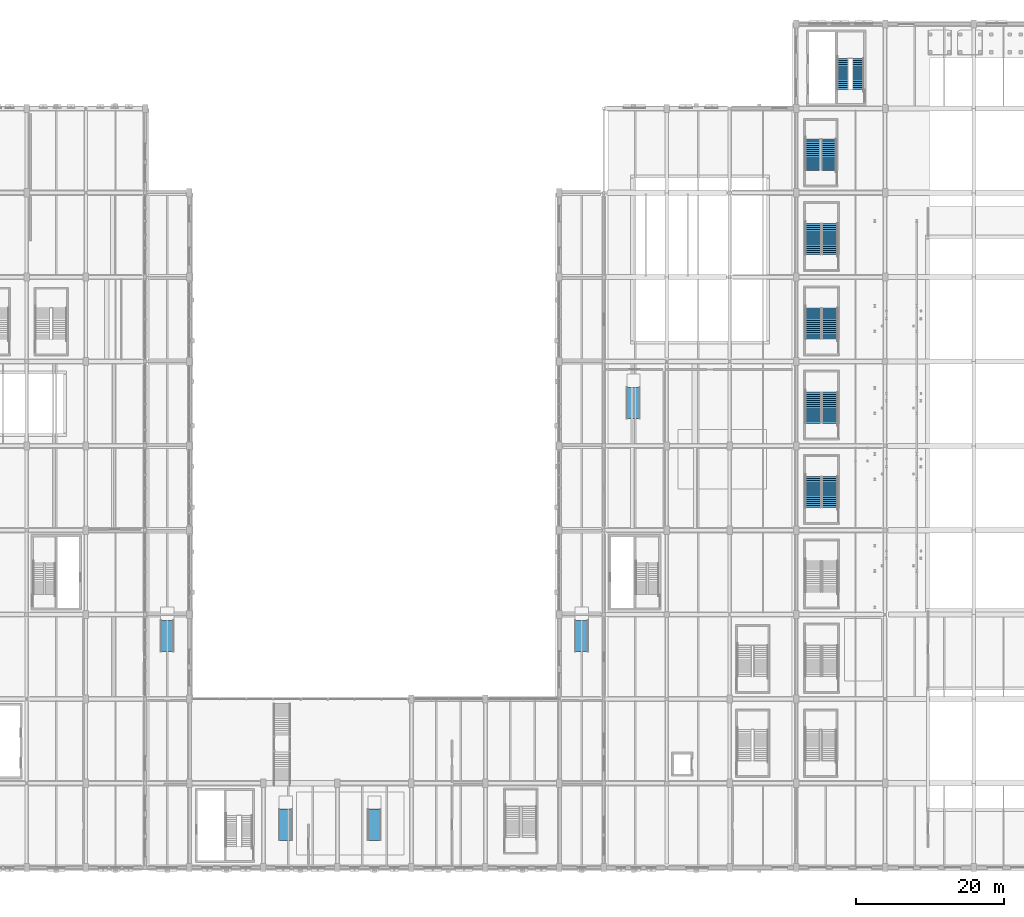
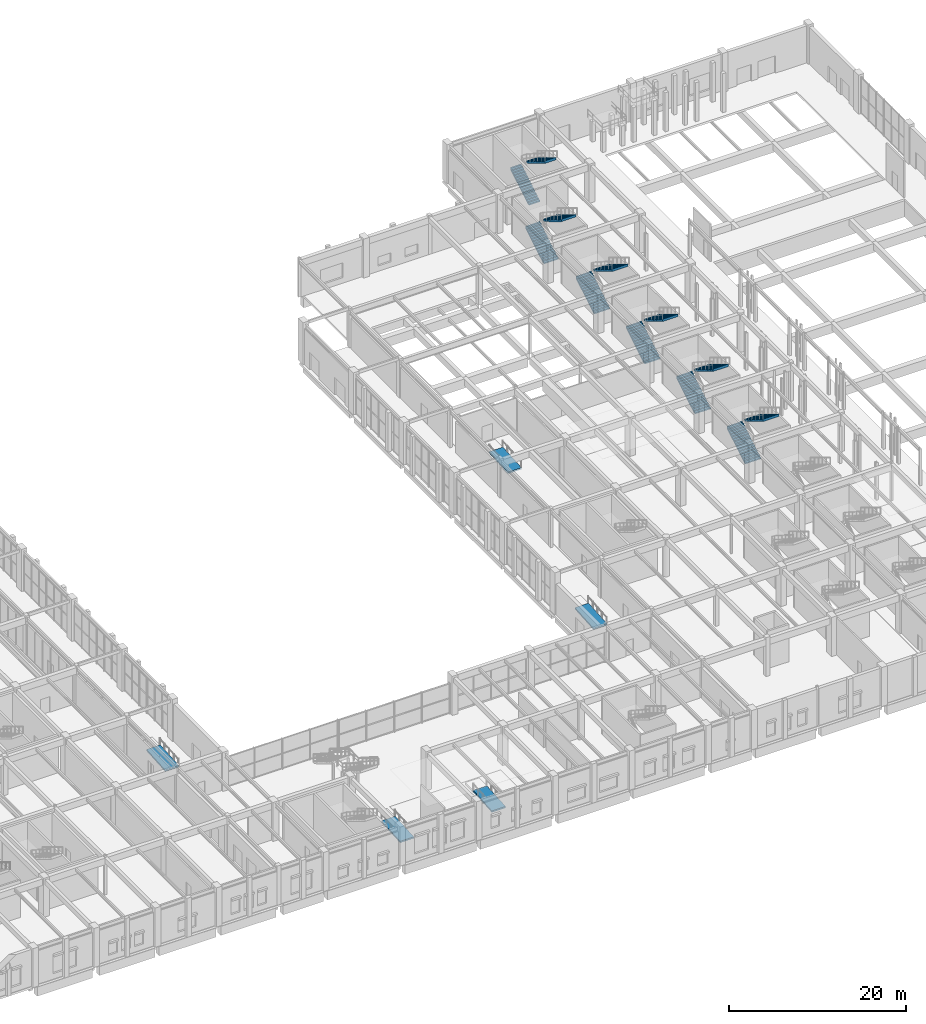
# One storey, part 96 of 113: 12 stair flights, 5 ramp flights, 11 elements without a shape of their own.
"""IFC4 building model written with IfcOpenShell, lengths in metres."""

from ifc_helpers import new_model, si_unit, direction, frame, origin, place, context, subcontext, project, spatial, polyline, outline, extrude, material, layer, layer_set, type_object, element, aggregate, save


model = new_model("IFC4")

# Units and contexts
model_context = context("Model", 3, precision=1e-05, world=origin(), true_north=direction((0.0, 1.0)))
body_context = subcontext(model_context, "Body", "Model", "MODEL_VIEW")
ifc_project = project(units=[si_unit("LENGTHUNIT", "METRE"), si_unit("AREAUNIT", "SQUARE_METRE"), si_unit("VOLUMEUNIT", "CUBIC_METRE"), si_unit("PLANEANGLEUNIT", "RADIAN"), si_unit("MASSUNIT", "GRAM", prefix="KILO"), si_unit("POWERUNIT", "WATT"), si_unit("THERMODYNAMICTEMPERATUREUNIT", "KELVIN")], contexts=[model_context])

# Site, building, storey
site_placement = place(None, origin())
site = spatial("IfcSite", under=ifc_project, at=site_placement, CompositionType="ELEMENT")
building_placement = place(site_placement, origin())
building = spatial("IfcBuilding", under=site, at=building_placement, Name="Kelmbourne Parkland Aquatics Centre", CompositionType="ELEMENT")
storey_placement = place(building_placement, origin())
storey = spatial("IfcBuildingStorey", under=building, at=storey_placement, Name="L00", CompositionType="ELEMENT", Elevation=0.0)

# Stair, stair flights
ifc_material = material(Name="Concrete C40/50", Category="concrete")
stair_type_1 = type_object("IfcStairType", Name="ST-T16", PredefinedType="HALF_TURN_STAIR", material=ifc_material)
stair_1_placement = place(storey_placement, origin())
stair_1 = element("IfcStair", 1, at=stair_1_placement, inside=storey, type_object=stair_type_1, Name="North Diving Control Fire-Fighting Core Stair ST05 (L00)", PredefinedType="HALF_TURN_STAIR")
stair_flight_type_1 = type_object("IfcStairFlightType", Name="STF-T16", PredefinedType="STRAIGHT", material=ifc_material)
stair_flight_1_placement = place(storey_placement, frame((134.27001953125, 105.949951171875, 0.0), z_axis=(0.0, 0.0, 1.0), x_axis=(0.0, 1.0, 0.0)))
stair_flight_1 = element("IfcStairFlight", 2, at=stair_flight_1_placement, type_object=stair_flight_type_1, Name="North Diving Control Fire-Fighting Core Stair ST05 lower flight (L00)", NumberOfRisers=16, NumberOfTreads=15, PredefinedType="STRAIGHT", RiserHeight=0.16875, TreadLength=0.28, context=body_context, shape_type="SweptSolid", body=[
    extrude(outline(polyline([(-0.008056640625, 0.0), (-0.008056640625, 0.034912109375), (0.0, 0.034912109375), (0.0, 0.168701171875), (0.280029296875, 0.168701171875), (0.280029296875, 0.33740234375), (0.56005859375, 0.33740234375), (0.56005859375, 0.50634765625), (0.840087890625, 0.50634765625), (0.840087890625, 0.675048828125), (1.1201171875, 0.675048828125), (1.1201171875, 0.84375), (1.39990234375, 0.84375), (1.39990234375, 1.012451171875), (1.679931640625, 1.012451171875), (1.679931640625, 1.18115234375), (1.9599609375, 1.18115234375), (1.9599609375, 1.35009765625), (2.239990234375, 1.35009765625), (2.239990234375, 1.518798828125), (2.52001953125, 1.518798828125), (2.52001953125, 1.6875), (2.800048828125, 1.6875), (2.800048828125, 1.856201171875), (3.080078125, 1.856201171875), (3.080078125, 2.02490234375), (3.360107421875, 2.02490234375), (3.360107421875, 2.19384765625), (3.639892578125, 2.19384765625), (3.639892578125, 2.362548828125), (3.919921875, 2.362548828125), (3.919921875, 2.53125), (4.199951171875, 2.53125), (4.199951171875, 2.699951171875), (4.2080078125, 2.699951171875), (4.2080078125, 2.56005859375), (4.199951171875, 2.344482421875), (0.309814453125, 0.0), (-0.008056640625, 0.0)])), frame((0.0, 0.72509765625, 0.0), z_axis=(0.0, -1.0, 0.0), x_axis=(1.0, 0.0, 0.0)), (0.0, 0.0, 1.0), 1.449951171875),
])
stair_flight_2_placement = place(storey_placement, frame((136.35498046875, 110.14990234375, 2.699951171875), z_axis=(0.0, 0.0, 1.0), x_axis=(0.0, -1.0, 0.0)))
stair_flight_2 = element("IfcStairFlight", 3, at=stair_flight_2_placement, type_object=stair_flight_type_1, Name="North Diving Control Fire-Fighting Core Stair ST05 upper flight (L00)", NumberOfRisers=16, NumberOfTreads=15, PredefinedType="STRAIGHT", RiserHeight=0.16875, TreadLength=0.28, context=body_context, shape_type="SweptSolid", body=[
    extrude(outline(polyline([(-0.008056640625, 0.0), (-0.008056640625, 0.034912109375), (0.0, 0.034912109375), (0.0, 0.168701171875), (0.280029296875, 0.168701171875), (0.280029296875, 0.33740234375), (0.56005859375, 0.33740234375), (0.56005859375, 0.50634765625), (0.840087890625, 0.50634765625), (0.840087890625, 0.675048828125), (1.1201171875, 0.675048828125), (1.1201171875, 0.84375), (1.39990234375, 0.84375), (1.39990234375, 1.012451171875), (1.679931640625, 1.012451171875), (1.679931640625, 1.18115234375), (1.9599609375, 1.18115234375), (1.9599609375, 1.35009765625), (2.239990234375, 1.35009765625), (2.239990234375, 1.518798828125), (2.52001953125, 1.518798828125), (2.52001953125, 1.6875), (2.800048828125, 1.6875), (2.800048828125, 1.856201171875), (3.080078125, 1.856201171875), (3.080078125, 2.02490234375), (3.360107421875, 2.02490234375), (3.360107421875, 2.19384765625), (3.639892578125, 2.19384765625), (3.639892578125, 2.362548828125), (3.919921875, 2.362548828125), (3.919921875, 2.53125), (4.199951171875, 2.53125), (4.199951171875, 2.699951171875), (4.2080078125, 2.699951171875), (4.2080078125, 2.56005859375), (4.199951171875, 2.344482421875), (0.309814453125, 0.0), (-0.008056640625, 0.0)])), frame((0.0, 0.72509765625, 0.0), z_axis=(0.0, -1.0, 0.0), x_axis=(1.0, 0.0, 0.0)), (0.0, 0.0, 1.0), 1.449951171875),
])
aggregate(stair_1, [stair_flight_1, stair_flight_2])

stair_type_2 = type_object("IfcStairType", Name="ST-T34", PredefinedType="HALF_TURN_STAIR", material=ifc_material)
stair_2_placement = place(storey_placement, origin())
stair_2 = element("IfcStair", 4, at=stair_2_placement, inside=storey, type_object=stair_type_2, Name="Main Bowl North Concourse Exit Stair (L00)", PredefinedType="HALF_TURN_STAIR")
stair_flight_type_2 = type_object("IfcStairFlightType", Name="STF-T34", PredefinedType="STRAIGHT", material=ifc_material)
stair_flight_3_placement = place(storey_placement, frame((130.169921875, 95.050048828125, 0.0), z_axis=(0.0, 0.0, 1.0), x_axis=(0.0, 1.0, 0.0)))
stair_flight_3 = element("IfcStairFlight", 5, at=stair_flight_3_placement, type_object=stair_flight_type_2, Name="Main Bowl North Concourse Exit Stair lower flight (L00)", NumberOfRisers=16, NumberOfTreads=15, PredefinedType="STRAIGHT", RiserHeight=0.16875, TreadLength=0.28, context=body_context, shape_type="SweptSolid", body=[
    extrude(outline(polyline([(-0.008056640625, 0.0), (-0.008056640625, 0.034912109375), (0.0, 0.034912109375), (0.0, 0.168701171875), (0.280029296875, 0.168701171875), (0.280029296875, 0.33740234375), (0.56005859375, 0.33740234375), (0.56005859375, 0.50634765625), (0.840087890625, 0.50634765625), (0.840087890625, 0.675048828125), (1.1201171875, 0.675048828125), (1.1201171875, 0.84375), (1.39990234375, 0.84375), (1.39990234375, 1.012451171875), (1.679931640625, 1.012451171875), (1.679931640625, 1.18115234375), (1.9599609375, 1.18115234375), (1.9599609375, 1.35009765625), (2.239990234375, 1.35009765625), (2.239990234375, 1.518798828125), (2.52001953125, 1.518798828125), (2.52001953125, 1.6875), (2.800048828125, 1.6875), (2.800048828125, 1.856201171875), (3.080078125, 1.856201171875), (3.080078125, 2.02490234375), (3.360107421875, 2.02490234375), (3.360107421875, 2.19384765625), (3.639892578125, 2.19384765625), (3.639892578125, 2.362548828125), (3.919921875, 2.362548828125), (3.919921875, 2.53125), (4.199951171875, 2.53125), (4.199951171875, 2.699951171875), (4.2080078125, 2.699951171875), (4.2080078125, 2.56005859375), (4.199951171875, 2.344482421875), (0.309814453125, 0.0), (-0.008056640625, 0.0)])), frame((0.0, 0.949951171875, 0.0), z_axis=(0.0, -1.0, 0.0), x_axis=(1.0, 0.0, 0.0)), (0.0, 0.0, 1.0), 1.89990234375),
])
stair_flight_4_placement = place(storey_placement, frame((132.429931640625, 99.25, 2.699951171875), z_axis=(0.0, 0.0, 1.0), x_axis=(0.0, -1.0, 0.0)))
stair_flight_4 = element("IfcStairFlight", 6, at=stair_flight_4_placement, type_object=stair_flight_type_2, Name="Main Bowl North Concourse Exit Stair upper flight (L00)", NumberOfRisers=16, NumberOfTreads=15, PredefinedType="STRAIGHT", RiserHeight=0.16875, TreadLength=0.28, context=body_context, shape_type="SweptSolid", body=[
    extrude(outline(polyline([(-0.008056640625, 0.0), (-0.008056640625, 0.034912109375), (0.0, 0.034912109375), (0.0, 0.168701171875), (0.280029296875, 0.168701171875), (0.280029296875, 0.33740234375), (0.56005859375, 0.33740234375), (0.56005859375, 0.50634765625), (0.840087890625, 0.50634765625), (0.840087890625, 0.675048828125), (1.1201171875, 0.675048828125), (1.1201171875, 0.84375), (1.39990234375, 0.84375), (1.39990234375, 1.012451171875), (1.679931640625, 1.012451171875), (1.679931640625, 1.18115234375), (1.9599609375, 1.18115234375), (1.9599609375, 1.35009765625), (2.239990234375, 1.35009765625), (2.239990234375, 1.518798828125), (2.52001953125, 1.518798828125), (2.52001953125, 1.6875), (2.800048828125, 1.6875), (2.800048828125, 1.856201171875), (3.080078125, 1.856201171875), (3.080078125, 2.02490234375), (3.360107421875, 2.02490234375), (3.360107421875, 2.19384765625), (3.639892578125, 2.19384765625), (3.639892578125, 2.362548828125), (3.919921875, 2.362548828125), (3.919921875, 2.53125), (4.199951171875, 2.53125), (4.199951171875, 2.699951171875), (4.2080078125, 2.699951171875), (4.2080078125, 2.56005859375), (4.199951171875, 2.344482421875), (0.309814453125, 0.0), (-0.008056640625, 0.0)])), frame((0.0, 0.949951171875, 0.0), z_axis=(0.0, -1.0, 0.0), x_axis=(1.0, 0.0, 0.0)), (0.0, 0.0, 1.0), 1.89990234375),
])
aggregate(stair_2, [stair_flight_3, stair_flight_4])

stair_type_3 = type_object("IfcStairType", Name="ST-T43", PredefinedType="HALF_TURN_STAIR", material=ifc_material)
stair_3_placement = place(storey_placement, origin())
stair_3 = element("IfcStair", 7, at=stair_3_placement, inside=storey, type_object=stair_type_3, Name="Spectator Bowl Exit Stair Bay 5 (L00)", PredefinedType="HALF_TURN_STAIR")
stair_flight_type_3 = type_object("IfcStairFlightType", Name="STF-T43", PredefinedType="STRAIGHT", material=ifc_material)
stair_flight_5_placement = place(storey_placement, frame((130.2451171875, 49.449951171875, 0.0), z_axis=(0.0, 0.0, 1.0), x_axis=(0.0, 1.0, 0.0)))
stair_flight_5 = element("IfcStairFlight", 8, at=stair_flight_5_placement, type_object=stair_flight_type_3, Name="Spectator Bowl Exit Stair Bay 5 lower flight (L00)", NumberOfRisers=16, NumberOfTreads=15, PredefinedType="STRAIGHT", RiserHeight=0.16875, TreadLength=0.28, context=body_context, shape_type="SweptSolid", body=[
    extrude(outline(polyline([(-0.008056640625, 0.0), (-0.008056640625, 0.034912109375), (0.0, 0.034912109375), (0.0, 0.168701171875), (0.280029296875, 0.168701171875), (0.280029296875, 0.33740234375), (0.56005859375, 0.33740234375), (0.56005859375, 0.50634765625), (0.840087890625, 0.50634765625), (0.840087890625, 0.675048828125), (1.1201171875, 0.675048828125), (1.1201171875, 0.84375), (1.39990234375, 0.84375), (1.39990234375, 1.012451171875), (1.679931640625, 1.012451171875), (1.679931640625, 1.18115234375), (1.9599609375, 1.18115234375), (1.9599609375, 1.35009765625), (2.239990234375, 1.35009765625), (2.239990234375, 1.518798828125), (2.52001953125, 1.518798828125), (2.52001953125, 1.6875), (2.800048828125, 1.6875), (2.800048828125, 1.856201171875), (3.080078125, 1.856201171875), (3.080078125, 2.02490234375), (3.360107421875, 2.02490234375), (3.360107421875, 2.19384765625), (3.639892578125, 2.19384765625), (3.639892578125, 2.362548828125), (3.919921875, 2.362548828125), (3.919921875, 2.53125), (4.199951171875, 2.53125), (4.199951171875, 2.699951171875), (4.2080078125, 2.699951171875), (4.2080078125, 2.56005859375), (4.199951171875, 2.344482421875), (0.309814453125, 0.0), (-0.008056640625, 0.0)])), frame((0.0, 1.02490234375, 0.0), z_axis=(0.0, -1.0, 0.0), x_axis=(1.0, 0.0, 0.0)), (0.0, 0.0, 1.0), 2.050048828125),
])
stair_flight_6_placement = place(storey_placement, frame((132.554931640625, 53.64990234375, 2.699951171875), z_axis=(0.0, 0.0, 1.0), x_axis=(0.0, -1.0, 0.0)))
stair_flight_6 = element("IfcStairFlight", 9, at=stair_flight_6_placement, type_object=stair_flight_type_3, Name="Spectator Bowl Exit Stair Bay 5 upper flight (L00)", NumberOfRisers=16, NumberOfTreads=15, PredefinedType="STRAIGHT", RiserHeight=0.16875, TreadLength=0.28, context=body_context, shape_type="SweptSolid", body=[
    extrude(outline(polyline([(-0.008056640625, 0.0), (-0.008056640625, 0.034912109375), (0.0, 0.034912109375), (0.0, 0.168701171875), (0.280029296875, 0.168701171875), (0.280029296875, 0.33740234375), (0.56005859375, 0.33740234375), (0.56005859375, 0.50634765625), (0.840087890625, 0.50634765625), (0.840087890625, 0.675048828125), (1.1201171875, 0.675048828125), (1.1201171875, 0.84375), (1.39990234375, 0.84375), (1.39990234375, 1.012451171875), (1.679931640625, 1.012451171875), (1.679931640625, 1.18115234375), (1.9599609375, 1.18115234375), (1.9599609375, 1.35009765625), (2.239990234375, 1.35009765625), (2.239990234375, 1.518798828125), (2.52001953125, 1.518798828125), (2.52001953125, 1.6875), (2.800048828125, 1.6875), (2.800048828125, 1.856201171875), (3.080078125, 1.856201171875), (3.080078125, 2.02490234375), (3.360107421875, 2.02490234375), (3.360107421875, 2.19384765625), (3.639892578125, 2.19384765625), (3.639892578125, 2.362548828125), (3.919921875, 2.362548828125), (3.919921875, 2.53125), (4.199951171875, 2.53125), (4.199951171875, 2.699951171875), (4.2080078125, 2.699951171875), (4.2080078125, 2.56005859375), (4.199951171875, 2.344482421875), (0.309814453125, 0.0), (-0.008056640625, 0.0)])), frame((0.0, 1.02490234375, 0.0), z_axis=(0.0, -1.0, 0.0), x_axis=(1.0, 0.0, 0.0)), (0.0, 0.0, 1.0), 2.050048828125),
])
aggregate(stair_3, [stair_flight_5, stair_flight_6])

stair_type_4 = type_object("IfcStairType", Name="ST-T44", PredefinedType="HALF_TURN_STAIR", material=ifc_material)
stair_4_placement = place(storey_placement, origin())
stair_4 = element("IfcStair", 10, at=stair_4_placement, inside=storey, type_object=stair_type_4, Name="Spectator Bowl Exit Stair Bay 6 (L00)", PredefinedType="HALF_TURN_STAIR")
stair_flight_type_4 = type_object("IfcStairFlightType", Name="STF-T44", PredefinedType="STRAIGHT", material=ifc_material)
stair_flight_7_placement = place(storey_placement, frame((130.2451171875, 60.85009765625, 0.0), z_axis=(0.0, 0.0, 1.0), x_axis=(0.0, 1.0, 0.0)))
stair_flight_7 = element("IfcStairFlight", 11, at=stair_flight_7_placement, type_object=stair_flight_type_4, Name="Spectator Bowl Exit Stair Bay 6 lower flight (L00)", NumberOfRisers=16, NumberOfTreads=15, PredefinedType="STRAIGHT", RiserHeight=0.16875, TreadLength=0.28, context=body_context, shape_type="SweptSolid", body=[
    extrude(outline(polyline([(-0.008056640625, 0.0), (-0.008056640625, 0.034912109375), (0.0, 0.034912109375), (0.0, 0.168701171875), (0.280029296875, 0.168701171875), (0.280029296875, 0.33740234375), (0.56005859375, 0.33740234375), (0.56005859375, 0.50634765625), (0.840087890625, 0.50634765625), (0.840087890625, 0.675048828125), (1.1201171875, 0.675048828125), (1.1201171875, 0.84375), (1.39990234375, 0.84375), (1.39990234375, 1.012451171875), (1.679931640625, 1.012451171875), (1.679931640625, 1.18115234375), (1.9599609375, 1.18115234375), (1.9599609375, 1.35009765625), (2.239990234375, 1.35009765625), (2.239990234375, 1.518798828125), (2.52001953125, 1.518798828125), (2.52001953125, 1.6875), (2.800048828125, 1.6875), (2.800048828125, 1.856201171875), (3.080078125, 1.856201171875), (3.080078125, 2.02490234375), (3.360107421875, 2.02490234375), (3.360107421875, 2.19384765625), (3.639892578125, 2.19384765625), (3.639892578125, 2.362548828125), (3.919921875, 2.362548828125), (3.919921875, 2.53125), (4.199951171875, 2.53125), (4.199951171875, 2.699951171875), (4.2080078125, 2.699951171875), (4.2080078125, 2.56005859375), (4.199951171875, 2.344482421875), (0.309814453125, 0.0), (-0.008056640625, 0.0)])), frame((0.0, 1.02490234375, 0.0), z_axis=(0.0, -1.0, 0.0), x_axis=(1.0, 0.0, 0.0)), (0.0, 0.0, 1.0), 2.050048828125),
])
stair_flight_8_placement = place(storey_placement, frame((132.554931640625, 65.050048828125, 2.699951171875), z_axis=(0.0, 0.0, 1.0), x_axis=(0.0, -1.0, 0.0)))
stair_flight_8 = element("IfcStairFlight", 12, at=stair_flight_8_placement, type_object=stair_flight_type_4, Name="Spectator Bowl Exit Stair Bay 6 upper flight (L00)", NumberOfRisers=16, NumberOfTreads=15, PredefinedType="STRAIGHT", RiserHeight=0.16875, TreadLength=0.28, context=body_context, shape_type="SweptSolid", body=[
    extrude(outline(polyline([(-0.008056640625, 0.0), (-0.008056640625, 0.034912109375), (0.0, 0.034912109375), (0.0, 0.168701171875), (0.280029296875, 0.168701171875), (0.280029296875, 0.33740234375), (0.56005859375, 0.33740234375), (0.56005859375, 0.50634765625), (0.840087890625, 0.50634765625), (0.840087890625, 0.675048828125), (1.1201171875, 0.675048828125), (1.1201171875, 0.84375), (1.39990234375, 0.84375), (1.39990234375, 1.012451171875), (1.679931640625, 1.012451171875), (1.679931640625, 1.18115234375), (1.9599609375, 1.18115234375), (1.9599609375, 1.35009765625), (2.239990234375, 1.35009765625), (2.239990234375, 1.518798828125), (2.52001953125, 1.518798828125), (2.52001953125, 1.6875), (2.800048828125, 1.6875), (2.800048828125, 1.856201171875), (3.080078125, 1.856201171875), (3.080078125, 2.02490234375), (3.360107421875, 2.02490234375), (3.360107421875, 2.19384765625), (3.639892578125, 2.19384765625), (3.639892578125, 2.362548828125), (3.919921875, 2.362548828125), (3.919921875, 2.53125), (4.199951171875, 2.53125), (4.199951171875, 2.699951171875), (4.2080078125, 2.699951171875), (4.2080078125, 2.56005859375), (4.199951171875, 2.344482421875), (0.309814453125, 0.0), (-0.008056640625, 0.0)])), frame((0.0, 1.02490234375, 0.0), z_axis=(0.0, -1.0, 0.0), x_axis=(1.0, 0.0, 0.0)), (0.0, 0.0, 1.0), 2.050048828125),
])
aggregate(stair_4, [stair_flight_7, stair_flight_8])

stair_type_5 = type_object("IfcStairType", Name="ST-T45", PredefinedType="HALF_TURN_STAIR", material=ifc_material)
stair_5_placement = place(storey_placement, origin())
stair_5 = element("IfcStair", 13, at=stair_5_placement, inside=storey, type_object=stair_type_5, Name="Spectator Bowl Exit Stair Bay 7 (L00)", PredefinedType="HALF_TURN_STAIR")
stair_flight_type_5 = type_object("IfcStairFlightType", Name="STF-T45", PredefinedType="STRAIGHT", material=ifc_material)
stair_flight_9_placement = place(storey_placement, frame((130.2451171875, 72.25, 0.0), z_axis=(0.0, 0.0, 1.0), x_axis=(0.0, 1.0, 0.0)))
stair_flight_9 = element("IfcStairFlight", 14, at=stair_flight_9_placement, type_object=stair_flight_type_5, Name="Spectator Bowl Exit Stair Bay 7 lower flight (L00)", NumberOfRisers=16, NumberOfTreads=15, PredefinedType="STRAIGHT", RiserHeight=0.16875, TreadLength=0.28, context=body_context, shape_type="SweptSolid", body=[
    extrude(outline(polyline([(-0.008056640625, 0.0), (-0.008056640625, 0.034912109375), (0.0, 0.034912109375), (0.0, 0.168701171875), (0.280029296875, 0.168701171875), (0.280029296875, 0.33740234375), (0.56005859375, 0.33740234375), (0.56005859375, 0.50634765625), (0.840087890625, 0.50634765625), (0.840087890625, 0.675048828125), (1.1201171875, 0.675048828125), (1.1201171875, 0.84375), (1.39990234375, 0.84375), (1.39990234375, 1.012451171875), (1.679931640625, 1.012451171875), (1.679931640625, 1.18115234375), (1.9599609375, 1.18115234375), (1.9599609375, 1.35009765625), (2.239990234375, 1.35009765625), (2.239990234375, 1.518798828125), (2.52001953125, 1.518798828125), (2.52001953125, 1.6875), (2.800048828125, 1.6875), (2.800048828125, 1.856201171875), (3.080078125, 1.856201171875), (3.080078125, 2.02490234375), (3.360107421875, 2.02490234375), (3.360107421875, 2.19384765625), (3.639892578125, 2.19384765625), (3.639892578125, 2.362548828125), (3.919921875, 2.362548828125), (3.919921875, 2.53125), (4.199951171875, 2.53125), (4.199951171875, 2.699951171875), (4.2080078125, 2.699951171875), (4.2080078125, 2.56005859375), (4.199951171875, 2.344482421875), (0.309814453125, 0.0), (-0.008056640625, 0.0)])), frame((0.0, 1.02490234375, 0.0), z_axis=(0.0, -1.0, 0.0), x_axis=(1.0, 0.0, 0.0)), (0.0, 0.0, 1.0), 2.050048828125),
])
stair_flight_10_placement = place(storey_placement, frame((132.554931640625, 76.449951171875, 2.699951171875), z_axis=(0.0, 0.0, 1.0), x_axis=(0.0, -1.0, 0.0)))
stair_flight_10 = element("IfcStairFlight", 15, at=stair_flight_10_placement, type_object=stair_flight_type_5, Name="Spectator Bowl Exit Stair Bay 7 upper flight (L00)", NumberOfRisers=16, NumberOfTreads=15, PredefinedType="STRAIGHT", RiserHeight=0.16875, TreadLength=0.28, context=body_context, shape_type="SweptSolid", body=[
    extrude(outline(polyline([(-0.008056640625, 0.0), (-0.008056640625, 0.034912109375), (0.0, 0.034912109375), (0.0, 0.168701171875), (0.280029296875, 0.168701171875), (0.280029296875, 0.33740234375), (0.56005859375, 0.33740234375), (0.56005859375, 0.50634765625), (0.840087890625, 0.50634765625), (0.840087890625, 0.675048828125), (1.1201171875, 0.675048828125), (1.1201171875, 0.84375), (1.39990234375, 0.84375), (1.39990234375, 1.012451171875), (1.679931640625, 1.012451171875), (1.679931640625, 1.18115234375), (1.9599609375, 1.18115234375), (1.9599609375, 1.35009765625), (2.239990234375, 1.35009765625), (2.239990234375, 1.518798828125), (2.52001953125, 1.518798828125), (2.52001953125, 1.6875), (2.800048828125, 1.6875), (2.800048828125, 1.856201171875), (3.080078125, 1.856201171875), (3.080078125, 2.02490234375), (3.360107421875, 2.02490234375), (3.360107421875, 2.19384765625), (3.639892578125, 2.19384765625), (3.639892578125, 2.362548828125), (3.919921875, 2.362548828125), (3.919921875, 2.53125), (4.199951171875, 2.53125), (4.199951171875, 2.699951171875), (4.2080078125, 2.699951171875), (4.2080078125, 2.56005859375), (4.199951171875, 2.344482421875), (0.309814453125, 0.0), (-0.008056640625, 0.0)])), frame((0.0, 1.02490234375, 0.0), z_axis=(0.0, -1.0, 0.0), x_axis=(1.0, 0.0, 0.0)), (0.0, 0.0, 1.0), 2.050048828125),
])
aggregate(stair_5, [stair_flight_9, stair_flight_10])

stair_type_6 = type_object("IfcStairType", Name="ST-T46", PredefinedType="HALF_TURN_STAIR", material=ifc_material)
stair_6_placement = place(storey_placement, origin())
stair_6 = element("IfcStair", 16, at=stair_6_placement, inside=storey, type_object=stair_type_6, Name="Spectator Bowl Exit Stair Bay 8 (L00)", PredefinedType="HALF_TURN_STAIR")
stair_flight_type_6 = type_object("IfcStairFlightType", Name="STF-T46", PredefinedType="STRAIGHT", material=ifc_material)
stair_flight_11_placement = place(storey_placement, frame((130.2451171875, 83.64990234375, 0.0), z_axis=(0.0, 0.0, 1.0), x_axis=(0.0, 1.0, 0.0)))
stair_flight_11 = element("IfcStairFlight", 17, at=stair_flight_11_placement, type_object=stair_flight_type_6, Name="Spectator Bowl Exit Stair Bay 8 lower flight (L00)", NumberOfRisers=16, NumberOfTreads=15, PredefinedType="STRAIGHT", RiserHeight=0.16875, TreadLength=0.28, context=body_context, shape_type="SweptSolid", body=[
    extrude(outline(polyline([(-0.008056640625, 0.0), (-0.008056640625, 0.034912109375), (0.0, 0.034912109375), (0.0, 0.168701171875), (0.280029296875, 0.168701171875), (0.280029296875, 0.33740234375), (0.56005859375, 0.33740234375), (0.56005859375, 0.50634765625), (0.840087890625, 0.50634765625), (0.840087890625, 0.675048828125), (1.1201171875, 0.675048828125), (1.1201171875, 0.84375), (1.39990234375, 0.84375), (1.39990234375, 1.012451171875), (1.679931640625, 1.012451171875), (1.679931640625, 1.18115234375), (1.9599609375, 1.18115234375), (1.9599609375, 1.35009765625), (2.239990234375, 1.35009765625), (2.239990234375, 1.518798828125), (2.52001953125, 1.518798828125), (2.52001953125, 1.6875), (2.800048828125, 1.6875), (2.800048828125, 1.856201171875), (3.080078125, 1.856201171875), (3.080078125, 2.02490234375), (3.360107421875, 2.02490234375), (3.360107421875, 2.19384765625), (3.639892578125, 2.19384765625), (3.639892578125, 2.362548828125), (3.919921875, 2.362548828125), (3.919921875, 2.53125), (4.199951171875, 2.53125), (4.199951171875, 2.699951171875), (4.2080078125, 2.699951171875), (4.2080078125, 2.56005859375), (4.199951171875, 2.344482421875), (0.309814453125, 0.0), (-0.008056640625, 0.0)])), frame((0.0, 1.02490234375, 0.0), z_axis=(0.0, -1.0, 0.0), x_axis=(1.0, 0.0, 0.0)), (0.0, 0.0, 1.0), 2.050048828125),
])
stair_flight_12_placement = place(storey_placement, frame((132.554931640625, 87.85009765625, 2.699951171875), z_axis=(0.0, 0.0, 1.0), x_axis=(0.0, -1.0, 0.0)))
stair_flight_12 = element("IfcStairFlight", 18, at=stair_flight_12_placement, type_object=stair_flight_type_6, Name="Spectator Bowl Exit Stair Bay 8 upper flight (L00)", NumberOfRisers=16, NumberOfTreads=15, PredefinedType="STRAIGHT", RiserHeight=0.16875, TreadLength=0.28, context=body_context, shape_type="SweptSolid", body=[
    extrude(outline(polyline([(-0.008056640625, 0.0), (-0.008056640625, 0.034912109375), (0.0, 0.034912109375), (0.0, 0.168701171875), (0.280029296875, 0.168701171875), (0.280029296875, 0.33740234375), (0.56005859375, 0.33740234375), (0.56005859375, 0.50634765625), (0.840087890625, 0.50634765625), (0.840087890625, 0.675048828125), (1.1201171875, 0.675048828125), (1.1201171875, 0.84375), (1.39990234375, 0.84375), (1.39990234375, 1.012451171875), (1.679931640625, 1.012451171875), (1.679931640625, 1.18115234375), (1.9599609375, 1.18115234375), (1.9599609375, 1.35009765625), (2.239990234375, 1.35009765625), (2.239990234375, 1.518798828125), (2.52001953125, 1.518798828125), (2.52001953125, 1.6875), (2.800048828125, 1.6875), (2.800048828125, 1.856201171875), (3.080078125, 1.856201171875), (3.080078125, 2.02490234375), (3.360107421875, 2.02490234375), (3.360107421875, 2.19384765625), (3.639892578125, 2.19384765625), (3.639892578125, 2.362548828125), (3.919921875, 2.362548828125), (3.919921875, 2.53125), (4.199951171875, 2.53125), (4.199951171875, 2.699951171875), (4.2080078125, 2.699951171875), (4.2080078125, 2.56005859375), (4.199951171875, 2.344482421875), (0.309814453125, 0.0), (-0.008056640625, 0.0)])), frame((0.0, 1.02490234375, 0.0), z_axis=(0.0, -1.0, 0.0), x_axis=(1.0, 0.0, 0.0)), (0.0, 0.0, 1.0), 2.050048828125),
])
aggregate(stair_6, [stair_flight_11, stair_flight_12])

# Ramp, ramp flight
ifc_layer_1 = layer(ifc_material, 0.199951171875)
ifc_layer_set_1 = layer_set([ifc_layer_1], Name="Concrete C40/50")
ramp_type = type_object("IfcRampType", Name="RMP-PED-T", PredefinedType="STRAIGHT_RUN_RAMP", material=ifc_layer_set_1)
ramp_1_placement = place(storey_placement, origin())
ramp_1 = element("IfcRamp", 19, at=ramp_1_placement, inside=storey, type_object=ramp_type, Name="South Entrance Accessible Ramp West", PredefinedType="STRAIGHT_RUN_RAMP")
ifc_layer_2 = layer(ifc_material, 0.199951171875)
ifc_layer_set_2 = layer_set([ifc_layer_2], Name="Concrete C40/50")
ramp_flight_type = type_object("IfcRampFlightType", Name="RMPF-PED-T", PredefinedType="STRAIGHT", material=ifc_layer_set_2)
ramp_flight_1_placement = place(storey_placement, frame((59.0, 4.5, 0.0), z_axis=(0.0, 0.0, 1.0), x_axis=(0.0, 1.0, 0.0)))
ramp_flight_1 = element("IfcRampFlight", 20, at=ramp_flight_1_placement, type_object=ramp_flight_type, Name="South Entrance Accessible Ramp West flight", PredefinedType="STRAIGHT", context=body_context, shape_type="SweptSolid", body=[
    extrude(outline(polyline([(-0.008056640625, -0.199951171875), (4.2080078125, 0.10009765625), (4.2080078125, 0.300048828125), (-0.008056640625, 0.0), (-0.008056640625, -0.199951171875)])), frame((0.0, 0.89990234375, 0.0), z_axis=(0.0, -1.0, 0.0), x_axis=(1.0, 0.0, 0.0)), (0.0, 0.0, 1.0), 1.800048828125),
])
aggregate(ramp_1, [ramp_flight_1])

ramp_2_placement = place(storey_placement, origin())
ramp_2 = element("IfcRamp", 21, at=ramp_2_placement, inside=storey, type_object=ramp_type, Name="South Entrance Accessible Ramp East", PredefinedType="STRAIGHT_RUN_RAMP")
ramp_flight_2_placement = place(storey_placement, frame((71.0, 4.5, 0.0), z_axis=(0.0, 0.0, 1.0), x_axis=(0.0, 1.0, 0.0)))
ramp_flight_2 = element("IfcRampFlight", 22, at=ramp_flight_2_placement, type_object=ramp_flight_type, Name="South Entrance Accessible Ramp East flight", PredefinedType="STRAIGHT", context=body_context, shape_type="SweptSolid", body=[
    extrude(outline(polyline([(-0.008056640625, -0.199951171875), (4.2080078125, 0.10009765625), (4.2080078125, 0.300048828125), (-0.008056640625, 0.0), (-0.008056640625, -0.199951171875)])), frame((0.0, 0.89990234375, 0.0), z_axis=(0.0, -1.0, 0.0), x_axis=(1.0, 0.0, 0.0)), (0.0, 0.0, 1.0), 1.800048828125),
])
aggregate(ramp_2, [ramp_flight_2])

ramp_3_placement = place(storey_placement, origin())
ramp_3 = element("IfcRamp", 23, at=ramp_3_placement, inside=storey, type_object=ramp_type, Name="Colonnade West Accessible Ramp", PredefinedType="STRAIGHT_RUN_RAMP")
ramp_flight_3_placement = place(storey_placement, frame((43.0, 30.0, 0.0), z_axis=(0.0, 0.0, 1.0), x_axis=(0.0, 1.0, 0.0)))
ramp_flight_3 = element("IfcRampFlight", 24, at=ramp_flight_3_placement, type_object=ramp_flight_type, Name="Colonnade West Accessible Ramp flight", PredefinedType="STRAIGHT", context=body_context, shape_type="SweptSolid", body=[
    extrude(outline(polyline([(-0.008056640625, -0.199951171875), (4.2080078125, 0.10009765625), (4.2080078125, 0.300048828125), (-0.008056640625, 0.0), (-0.008056640625, -0.199951171875)])), frame((0.0, 0.89990234375, 0.0), z_axis=(0.0, -1.0, 0.0), x_axis=(1.0, 0.0, 0.0)), (0.0, 0.0, 1.0), 1.800048828125),
])
aggregate(ramp_3, [ramp_flight_3])

ramp_4_placement = place(storey_placement, origin())
ramp_4 = element("IfcRamp", 25, at=ramp_4_placement, inside=storey, type_object=ramp_type, Name="Colonnade East Accessible Ramp", PredefinedType="STRAIGHT_RUN_RAMP")
ramp_flight_4_placement = place(storey_placement, frame((99.0, 30.0, 0.0), z_axis=(0.0, 0.0, 1.0), x_axis=(0.0, 1.0, 0.0)))
ramp_flight_4 = element("IfcRampFlight", 26, at=ramp_flight_4_placement, type_object=ramp_flight_type, Name="Colonnade East Accessible Ramp flight", PredefinedType="STRAIGHT", context=body_context, shape_type="SweptSolid", body=[
    extrude(outline(polyline([(-0.008056640625, -0.199951171875), (4.2080078125, 0.10009765625), (4.2080078125, 0.300048828125), (-0.008056640625, 0.0), (-0.008056640625, -0.199951171875)])), frame((0.0, 0.89990234375, 0.0), z_axis=(0.0, -1.0, 0.0), x_axis=(1.0, 0.0, 0.0)), (0.0, 0.0, 1.0), 1.800048828125),
])
aggregate(ramp_4, [ramp_flight_4])

ramp_5_placement = place(storey_placement, origin())
ramp_5 = element("IfcRamp", 27, at=ramp_5_placement, inside=storey, type_object=ramp_type, Name="Wet Deck Hydrotherapy Accessible Ramp", PredefinedType="STRAIGHT_RUN_RAMP")
ramp_flight_5_placement = place(storey_placement, frame((106.0, 61.5, 0.0), z_axis=(0.0, 0.0, 1.0), x_axis=(0.0, 1.0, 0.0)))
ramp_flight_5 = element("IfcRampFlight", 28, at=ramp_flight_5_placement, type_object=ramp_flight_type, Name="Wet Deck Hydrotherapy Accessible Ramp flight", PredefinedType="STRAIGHT", context=body_context, shape_type="SweptSolid", body=[
    extrude(outline(polyline([(-0.008056640625, -0.199951171875), (4.2080078125, 0.10009765625), (4.2080078125, 0.300048828125), (-0.008056640625, 0.0), (-0.008056640625, -0.199951171875)])), frame((0.0, 0.89990234375, 0.0), z_axis=(0.0, -1.0, 0.0), x_axis=(1.0, 0.0, 0.0)), (0.0, 0.0, 1.0), 1.800048828125),
])
aggregate(ramp_5, [ramp_flight_5])

save(model, "model.ifc")
